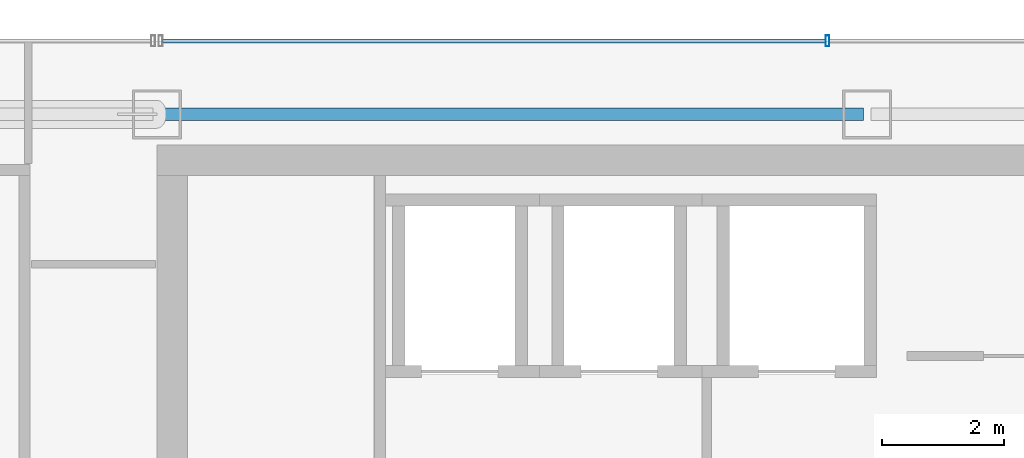
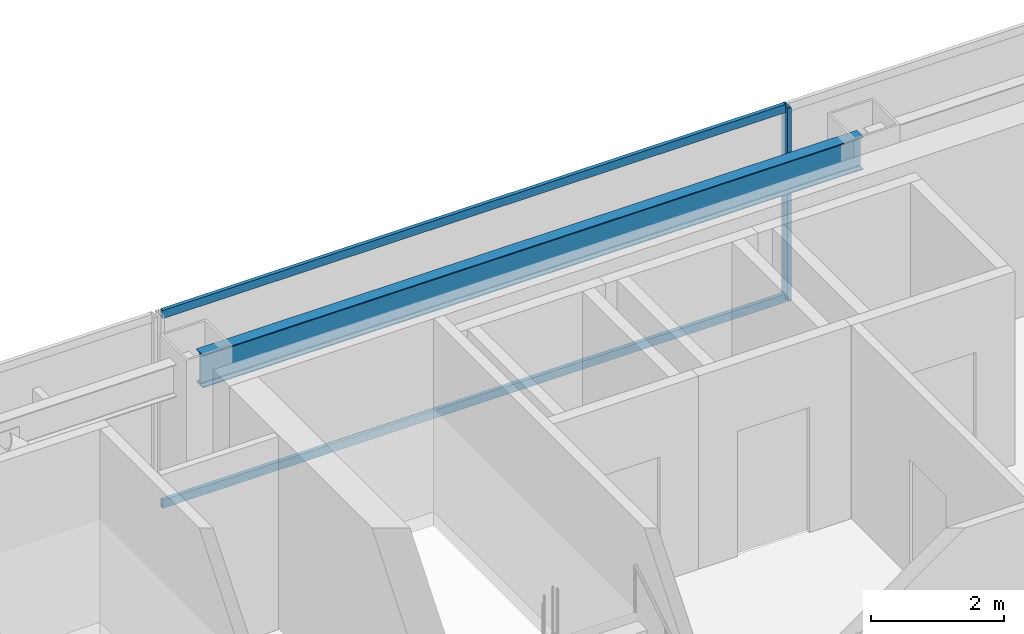
# One storey, part 24 of 35: 3 members, 1 beam, 1 element without a shape of its own.
"""IFC4 building model written with IfcOpenShell, lengths in metres."""

import ifcopenshell
import ifcopenshell.guid

model = None  # the IFC model being written
_history = None  # IfcOwnerHistory: only IFC2X3 demands one
_inside = {}  # id of a spatial element -> (the spatial element, [elements in it])
_under = {}  # id of a project, library or spatial element -> (it, [spatial elements below it])
_declared = {}  # id of a project -> (the project, [libraries it declares])
_typed = {}  # id of a type object -> (the type object, [elements of that type])
_made_of = {}  # id of a material, layer set ... -> (it, [elements and type objects made of it])


def new_model(schema):
    """Start an empty IFC model of exactly this schema.

    Asked for "IFC4X3", IfcOpenShell would pick the latest addendum, in which some entities
    have other attributes; the version numbers below select the first issue.
    IFC2X3 requires an IfcOwnerHistory on every rooted entity: one is made here for all.
    """
    global model, _history
    if schema == "IFC4X3":
        model = ifcopenshell.file(schema_version=(4, 3, 0, 0))
    else:
        model = ifcopenshell.file(schema=schema)
    _inside.clear()
    _under.clear()
    _declared.clear()
    _typed.clear()
    _made_of.clear()
    _history = None
    if model.schema == "IFC2X3":
        org = make("IfcOrganization", Name="unknown")
        user = make(
            "IfcPersonAndOrganization",
            ThePerson=make("IfcPerson", FamilyName="unknown"),
            TheOrganization=org,
        )
        app = make(
            "IfcApplication",
            ApplicationDeveloper=org,
            Version="unknown",
            ApplicationFullName="unknown",
            ApplicationIdentifier="unknown",
        )
        _history = make(
            "IfcOwnerHistory",
            OwningUser=user,
            OwningApplication=app,
            ChangeAction="ADDED",
            CreationDate=0,
        )
    return model


def make(cls, **values):
    """One entity of the class cls with the attributes given. An attribute that is None is left unset."""
    return model.create_entity(
        cls, **{name: value for name, value in values.items() if value is not None}
    )


def rooted(cls, **values):
    """An entity with a GlobalId (a new one), such as an element, a storey or a relation."""
    return make(cls, GlobalId=ifcopenshell.guid.new(), OwnerHistory=_history, **values)


def si_unit(unit_type, name, prefix=None):
    """IfcSIUnit, for example si_unit("LENGTHUNIT", "METRE", prefix="MILLI")."""
    return make("IfcSIUnit", UnitType=unit_type, Prefix=prefix, Name=name)


def assignment(units):
    """IfcUnitAssignment: the units of a project."""
    return None if units is None else make("IfcUnitAssignment", Units=units)


def point(xyz):
    """IfcCartesianPoint."""
    return None if xyz is None else make("IfcCartesianPoint", Coordinates=xyz)


def direction(xyz):
    """IfcDirection."""
    return None if xyz is None else make("IfcDirection", DirectionRatios=xyz)


def frame(location, z_axis=None, x_axis=None):
    """IfcAxis2Placement3D, a coordinate frame: its origin and axes. An axis left out is left unset."""
    return make(
        "IfcAxis2Placement3D",
        Location=point(location),
        Axis=direction(z_axis),
        RefDirection=direction(x_axis),
    )


def frame_2d(location, x_axis=None):
    """IfcAxis2Placement2D, a coordinate frame in the plane: its origin and x axis."""
    return make(
        "IfcAxis2Placement2D", Location=point(location), RefDirection=direction(x_axis)
    )


def origin():
    """The frame at (0, 0, 0) with its axes left unset."""
    return frame((0.0, 0.0, 0.0))


def origin_2d():
    """The frame at (0, 0) in the plane with its x axis left unset."""
    return frame_2d((0.0, 0.0))


def place(relative_to, where):
    """IfcLocalPlacement: puts the frame where relative to a parent placement (None: the world)."""
    return make(
        "IfcLocalPlacement", PlacementRelTo=relative_to, RelativePlacement=where
    )


def context(
    kind, dimensions, precision=None, world=None, true_north=None, identifier=None
):
    """IfcGeometricRepresentationContext, for example the 3D "Model" context."""
    return make(
        "IfcGeometricRepresentationContext",
        ContextIdentifier=identifier,
        ContextType=kind,
        CoordinateSpaceDimension=dimensions,
        Precision=precision,
        WorldCoordinateSystem=world,
        TrueNorth=true_north,
    )


def subcontext(parent, identifier, kind, view, scale=None):
    """IfcGeometricRepresentationSubContext, for example "Body" below "Model"."""
    return make(
        "IfcGeometricRepresentationSubContext",
        ContextIdentifier=identifier,
        ContextType=kind,
        ParentContext=parent,
        TargetScale=scale,
        TargetView=view,
    )


def project(units=None, contexts=None):
    """IfcProject with its units and contexts."""
    return rooted(
        "IfcProject",
        Name="project",
        RepresentationContexts=contexts,
        UnitsInContext=assignment(units),
    )


def spatial(cls, under=None, at=None, **own):
    """A site, building, storey or space (cls), placed at a placement, below another one or the project."""
    s = rooted(cls, ObjectPlacement=at, **own)
    if under is not None:
        _under.setdefault(under.id(), (under, []))[1].append(s)
    return s


def profile(cls, at=None, kind="AREA", **sizes):
    """A parametric profile (cls). Its sizes go by their IFC names, for example OverallWidth=200.0."""
    return make(cls, ProfileType=kind, Position=at, **sizes)


def hollow_rectangle(**sizes):
    """IfcRectangleHollowProfileDef."""
    return profile("IfcRectangleHollowProfileDef", **sizes)


def i_section(**sizes):
    """IfcIShapeProfileDef."""
    return profile("IfcIShapeProfileDef", **sizes)


def extrude(swept, where, along, depth):
    """IfcExtrudedAreaSolid: the profile swept, set in the frame where, extruded along a direction by depth."""
    return make(
        "IfcExtrudedAreaSolid",
        SweptArea=swept,
        Position=where,
        ExtrudedDirection=direction(along),
        Depth=depth,
    )


def shape(context_of_items, identifier, shape_type, items):
    """IfcShapeRepresentation: the items that make up one representation, for example the "Body"."""
    return make(
        "IfcShapeRepresentation",
        ContextOfItems=context_of_items,
        RepresentationIdentifier=identifier,
        RepresentationType=shape_type,
        Items=items,
    )


def material(Name=None, Category=None):
    """IfcMaterial."""
    return make("IfcMaterial", Name=Name, Category=Category)


def material_profile(
    of_material, cross_section, Name=None, Category=None, Priority=None
):
    """IfcMaterialProfile: a cross section and its material."""
    return make(
        "IfcMaterialProfile",
        Name=Name,
        Material=of_material,
        Profile=cross_section,
        Priority=Priority,
        Category=Category,
    )


def profile_set(profiles, Name=None, composite=None):
    """IfcMaterialProfileSet."""
    return make(
        "IfcMaterialProfileSet",
        Name=Name,
        MaterialProfiles=profiles,
        CompositeProfile=composite,
    )


def made_of(thing, what):
    """Note that an element or type object is made of a material, layer set ...; save() writes the relation."""
    if what is not None:
        _made_of.setdefault(what.id(), (what, []))[1].append(thing)
    return thing


def type_object(cls, material=None, **own):
    """A type object (cls), such as IfcWallType, which elements share."""
    return made_of(rooted(cls, **own), material)


def element(
    cls,
    number,
    at=None,
    inside=None,
    cuts=None,
    type_object=None,
    material=None,
    context=None,
    identifier="Body",
    shape_type=None,
    held_by="IfcProductDefinitionShape",
    body=None,
    shapes=None,
    **own,
):
    """One element of the class cls, such as IfcWall. Its Tag is "e" and its number.

    at: its placement. inside: the storey or other place that contains it. cuts: it is an
    opening in that element (IfcRelVoidsElement). A single representation is given by context,
    identifier, shape_type and body (its items); several are given by shapes. held_by: the class
    of the entity that holds the representations. save() writes the other relations.
    """
    e = rooted(cls, Tag="e%d" % number, ObjectPlacement=at, **own)
    if body is not None:
        shapes = [shape(context, identifier, shape_type, body)]
    if shapes is not None:
        e.Representation = make(held_by, Representations=shapes)
    if inside is not None:
        _inside.setdefault(inside.id(), (inside, []))[1].append(e)
    if cuts is not None:
        rooted(
            "IfcRelVoidsElement", RelatingBuildingElement=cuts, RelatedOpeningElement=e
        )
    if type_object is not None:
        _typed.setdefault(type_object.id(), (type_object, []))[1].append(e)
    return made_of(e, material)


def aggregate(whole, parts):
    """IfcRelAggregates: a whole, such as a stair, and the parts it consists of."""
    return rooted("IfcRelAggregates", RelatingObject=whole, RelatedObjects=parts)


def save(model, path):
    """Write the relations noted so far, then the file.

    IfcRelAggregates (storeys below a building ...), IfcRelContainedInSpatialStructure (elements
    in a storey), IfcRelDefinesByType, IfcRelAssociatesMaterial and IfcRelDeclares: one each for
    every whole, place, type object, material and project.
    """
    for whole, parts in _under.values():
        aggregate(whole, parts)
    for where, things in _inside.values():
        rooted(
            "IfcRelContainedInSpatialStructure",
            RelatedElements=things,
            RelatingStructure=where,
        )
    for kind, things in _typed.values():
        rooted("IfcRelDefinesByType", RelatedObjects=things, RelatingType=kind)
    for what, things in _made_of.values():
        rooted("IfcRelAssociatesMaterial", RelatedObjects=things, RelatingMaterial=what)
    for by, libraries in _declared.values():
        rooted("IfcRelDeclares", RelatingContext=by, RelatedDefinitions=libraries)
    model.write(path)


model = new_model("IFC4")

# Units and contexts
model_context = context("Model", 3, precision=1e-05, world=origin(), true_north=direction((0.0, 1.0)))
body_context = subcontext(model_context, "Body", "Model", "MODEL_VIEW")
ifc_project = project(units=[si_unit("LENGTHUNIT", "METRE"), si_unit("AREAUNIT", "SQUARE_METRE"), si_unit("VOLUMEUNIT", "CUBIC_METRE"), si_unit("PLANEANGLEUNIT", "RADIAN"), si_unit("MASSUNIT", "GRAM", prefix="KILO")], contexts=[model_context])

# Site, building, storey
site_placement = place(None, origin())
site = spatial("IfcSite", under=ifc_project, at=site_placement, CompositionType="ELEMENT")
building_placement = place(site_placement, origin())
building = spatial("IfcBuilding", under=site, at=building_placement, Name="Saevonmaru Cultural Tower", CompositionType="ELEMENT")
storey_placement = place(building_placement, frame((0.0, 0.0, 217.0)))
storey = spatial("IfcBuildingStorey", under=building, at=storey_placement, Name="L50", CompositionType="ELEMENT", Elevation=217.0)

# Beam
ifc_material_1 = material(Name="Steel SM355", Category="steel")
ifc_material_profile_1 = material_profile(ifc_material_1, i_section(OverallWidth=0.199951171875, OverallDepth=0.60009765625, WebThickness=0.010986328125, FlangeThickness=0.01708984375, FilletRadius=0.02197265625, at=origin_2d()), Name="H-600x200x11x17")
ifc_profile_set_1 = profile_set([ifc_material_profile_1], Name="Steel SM355")
beam_type = type_object("IfcBeamType", Name="BM-SP-H600", PredefinedType="SPANDREL", material=ifc_profile_set_1)
beam_placement = place(storey_placement, frame((13.659912109375, 54.800048828125, 3.25), z_axis=(1.0, 0.0, 0.0), x_axis=(0.0, 1.0, 0.0)))
element("IfcBeam", 1, at=beam_placement, inside=storey, type_object=beam_type, Name="L50 North Spine Girder 2", PredefinedType="SPANDREL", context=body_context, shape_type="SweptSolid", body=[
    extrude(i_section(OverallWidth=0.199951171875, OverallDepth=0.60009765625, WebThickness=0.010986328125, FlangeThickness=0.01708984375, FilletRadius=0.02197265625, at=origin_2d()), origin(), (0.0, 0.0, 1.0), 11.47998046875),
])

# Curtain wall, members
ifc_material_2 = material(Name="Satin Bronze Anodised Aluminium", Category="aluminium")
curtain_wall_type = type_object("IfcCurtainWallType", Name="CW-TYP-B", PredefinedType="NOTDEFINED", material=ifc_material_2)
curtain_wall_placement = place(storey_placement, origin())
curtain_wall = element("IfcCurtainWall", 2, at=curtain_wall_placement, inside=storey, type_object=curtain_wall_type, Name="L50 North Spine Unitised Curtain Wall E10B", PredefinedType="NOTDEFINED")
ifc_material_profile_2 = material_profile(ifc_material_2, hollow_rectangle(XDim=0.06494140625, YDim=0.179931640625, WallThickness=0.00390625, at=origin_2d()), Name="ALU-MULL-180x65x4")
ifc_profile_set_2 = profile_set([ifc_material_profile_2], Name="Satin Bronze Anodised Aluminium")
member_type_1 = type_object("IfcMemberType", Name="ML-CW-180x65", PredefinedType="MULLION", material=ifc_profile_set_2)
member_1_placement = place(storey_placement, frame((24.55322265625, 56.0, 0.0), z_axis=(0.0, 0.0, 1.0), x_axis=(-1.0, 0.0, 0.0)))
member_1 = element("IfcMember", 3, at=member_1_placement, type_object=member_type_1, Name="CW-TW-L50-E10B mullion 3", PredefinedType="MULLION", context=body_context, shape_type="SweptSolid", body=[
    extrude(hollow_rectangle(XDim=0.06494140625, YDim=0.179931640625, WallThickness=0.00390625, at=origin_2d()), origin(), (0.0, 0.0, 1.0), 3.550048828125),
])
ifc_material_profile_3 = material_profile(ifc_material_2, hollow_rectangle(XDim=0.06494140625, YDim=0.14990234375, WallThickness=0.00390625, at=origin_2d()), Name="ALU-TRAN-150x65x4")
ifc_profile_set_3 = profile_set([ifc_material_profile_3], Name="Satin Bronze Anodised Aluminium")
member_type_2 = type_object("IfcMemberType", Name="TR-CW-150x65", PredefinedType="USERDEFINED", material=ifc_profile_set_3)
member_2_placement = place(storey_placement, frame((24.520751953125, 56.0, 0.032470703125), z_axis=(-1.0, 0.0, 0.0), x_axis=(0.0, -1.0, 0.0)))
member_2 = element("IfcMember", 4, at=member_2_placement, type_object=member_type_2, Name="CW-TW-L50-E10B transom 3.1", ObjectType="TRANSOM", PredefinedType="USERDEFINED", context=body_context, shape_type="SweptSolid", body=[
    extrude(hollow_rectangle(XDim=0.06494140625, YDim=0.14990234375, WallThickness=0.00390625, at=origin_2d()), origin(), (0.0, 0.0, 1.0), 10.828369140625),
])
member_3_placement = place(storey_placement, frame((24.520751953125, 56.0, 3.517578125), z_axis=(-1.0, 0.0, 0.0), x_axis=(0.0, -1.0, 0.0)))
member_3 = element("IfcMember", 5, at=member_3_placement, type_object=member_type_2, Name="CW-TW-L50-E10B transom 3.2", ObjectType="TRANSOM", PredefinedType="USERDEFINED", context=body_context, shape_type="SweptSolid", body=[
    extrude(hollow_rectangle(XDim=0.06494140625, YDim=0.14990234375, WallThickness=0.00390625, at=origin_2d()), origin(), (0.0, 0.0, 1.0), 10.828369140625),
])
aggregate(curtain_wall, [member_1, member_2, member_3])

save(model, "model.ifc")
